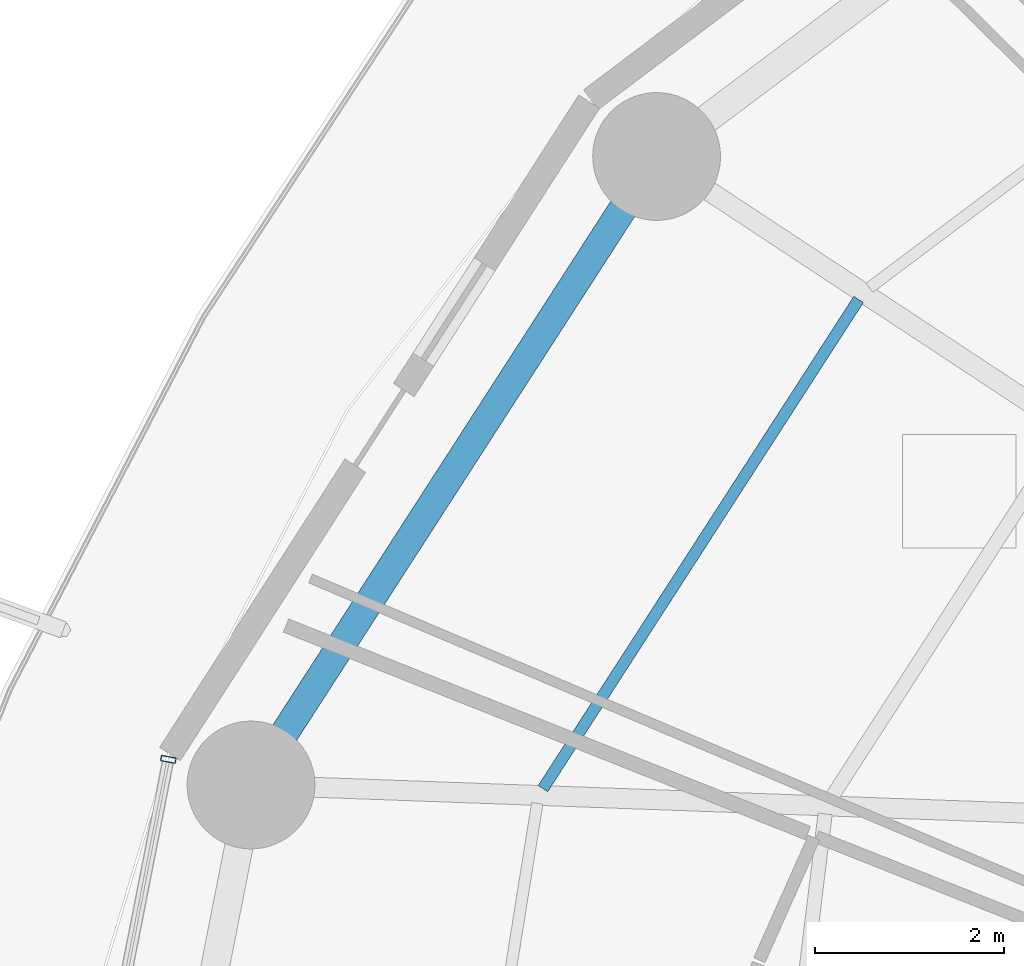
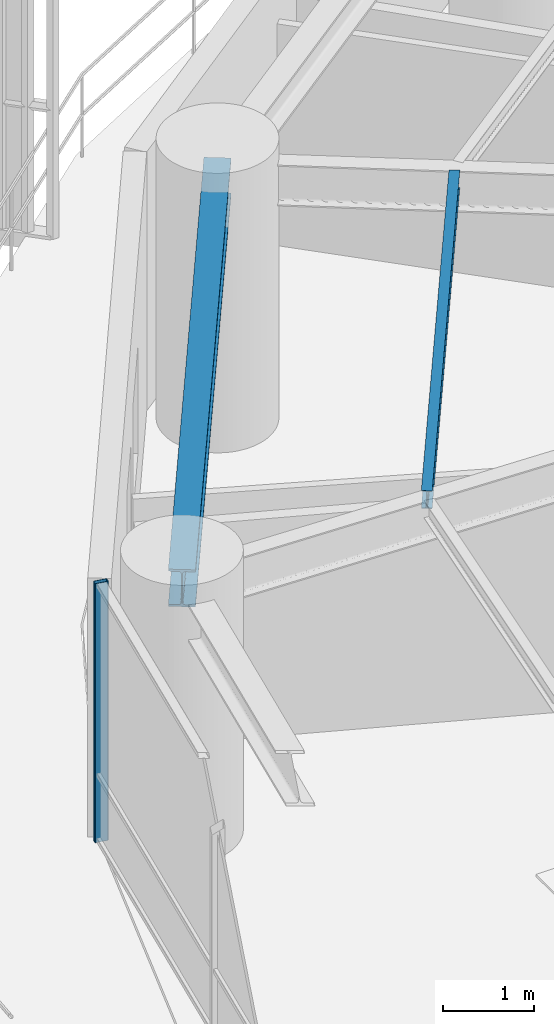
# One storey, part 15 of 34: 2 beams, 1 member, 1 element without a shape of its own.
"""IFC4 building model written with IfcOpenShell, lengths in metres."""

import ifcopenshell
import ifcopenshell.guid

model = None  # the IFC model being written
_history = None  # IfcOwnerHistory: only IFC2X3 demands one
_inside = {}  # id of a spatial element -> (the spatial element, [elements in it])
_under = {}  # id of a project, library or spatial element -> (it, [spatial elements below it])
_declared = {}  # id of a project -> (the project, [libraries it declares])
_typed = {}  # id of a type object -> (the type object, [elements of that type])
_made_of = {}  # id of a material, layer set ... -> (it, [elements and type objects made of it])


def new_model(schema):
    """Start an empty IFC model of exactly this schema.

    Asked for "IFC4X3", IfcOpenShell would pick the latest addendum, in which some entities
    have other attributes; the version numbers below select the first issue.
    IFC2X3 requires an IfcOwnerHistory on every rooted entity: one is made here for all.
    """
    global model, _history
    if schema == "IFC4X3":
        model = ifcopenshell.file(schema_version=(4, 3, 0, 0))
    else:
        model = ifcopenshell.file(schema=schema)
    _inside.clear()
    _under.clear()
    _declared.clear()
    _typed.clear()
    _made_of.clear()
    _history = None
    if model.schema == "IFC2X3":
        org = make("IfcOrganization", Name="unknown")
        user = make(
            "IfcPersonAndOrganization",
            ThePerson=make("IfcPerson", FamilyName="unknown"),
            TheOrganization=org,
        )
        app = make(
            "IfcApplication",
            ApplicationDeveloper=org,
            Version="unknown",
            ApplicationFullName="unknown",
            ApplicationIdentifier="unknown",
        )
        _history = make(
            "IfcOwnerHistory",
            OwningUser=user,
            OwningApplication=app,
            ChangeAction="ADDED",
            CreationDate=0,
        )
    return model


def make(cls, **values):
    """One entity of the class cls with the attributes given. An attribute that is None is left unset."""
    return model.create_entity(
        cls, **{name: value for name, value in values.items() if value is not None}
    )


def rooted(cls, **values):
    """An entity with a GlobalId (a new one), such as an element, a storey or a relation."""
    return make(cls, GlobalId=ifcopenshell.guid.new(), OwnerHistory=_history, **values)


def si_unit(unit_type, name, prefix=None):
    """IfcSIUnit, for example si_unit("LENGTHUNIT", "METRE", prefix="MILLI")."""
    return make("IfcSIUnit", UnitType=unit_type, Prefix=prefix, Name=name)


def assignment(units):
    """IfcUnitAssignment: the units of a project."""
    return None if units is None else make("IfcUnitAssignment", Units=units)


def point(xyz):
    """IfcCartesianPoint."""
    return None if xyz is None else make("IfcCartesianPoint", Coordinates=xyz)


def direction(xyz):
    """IfcDirection."""
    return None if xyz is None else make("IfcDirection", DirectionRatios=xyz)


def frame(location, z_axis=None, x_axis=None):
    """IfcAxis2Placement3D, a coordinate frame: its origin and axes. An axis left out is left unset."""
    return make(
        "IfcAxis2Placement3D",
        Location=point(location),
        Axis=direction(z_axis),
        RefDirection=direction(x_axis),
    )


def frame_2d(location, x_axis=None):
    """IfcAxis2Placement2D, a coordinate frame in the plane: its origin and x axis."""
    return make(
        "IfcAxis2Placement2D", Location=point(location), RefDirection=direction(x_axis)
    )


def origin():
    """The frame at (0, 0, 0) with its axes left unset."""
    return frame((0.0, 0.0, 0.0))


def origin_2d():
    """The frame at (0, 0) in the plane with its x axis left unset."""
    return frame_2d((0.0, 0.0))


def place(relative_to, where):
    """IfcLocalPlacement: puts the frame where relative to a parent placement (None: the world)."""
    return make(
        "IfcLocalPlacement", PlacementRelTo=relative_to, RelativePlacement=where
    )


def context(
    kind, dimensions, precision=None, world=None, true_north=None, identifier=None
):
    """IfcGeometricRepresentationContext, for example the 3D "Model" context."""
    return make(
        "IfcGeometricRepresentationContext",
        ContextIdentifier=identifier,
        ContextType=kind,
        CoordinateSpaceDimension=dimensions,
        Precision=precision,
        WorldCoordinateSystem=world,
        TrueNorth=true_north,
    )


def subcontext(parent, identifier, kind, view, scale=None):
    """IfcGeometricRepresentationSubContext, for example "Body" below "Model"."""
    return make(
        "IfcGeometricRepresentationSubContext",
        ContextIdentifier=identifier,
        ContextType=kind,
        ParentContext=parent,
        TargetScale=scale,
        TargetView=view,
    )


def project(units=None, contexts=None):
    """IfcProject with its units and contexts."""
    return rooted(
        "IfcProject",
        Name="project",
        RepresentationContexts=contexts,
        UnitsInContext=assignment(units),
    )


def spatial(cls, under=None, at=None, **own):
    """A site, building, storey or space (cls), placed at a placement, below another one or the project."""
    s = rooted(cls, ObjectPlacement=at, **own)
    if under is not None:
        _under.setdefault(under.id(), (under, []))[1].append(s)
    return s


def profile(cls, at=None, kind="AREA", **sizes):
    """A parametric profile (cls). Its sizes go by their IFC names, for example OverallWidth=200.0."""
    return make(cls, ProfileType=kind, Position=at, **sizes)


def hollow_rectangle(**sizes):
    """IfcRectangleHollowProfileDef."""
    return profile("IfcRectangleHollowProfileDef", **sizes)


def i_section(**sizes):
    """IfcIShapeProfileDef."""
    return profile("IfcIShapeProfileDef", **sizes)


def extrude(swept, where, along, depth):
    """IfcExtrudedAreaSolid: the profile swept, set in the frame where, extruded along a direction by depth."""
    return make(
        "IfcExtrudedAreaSolid",
        SweptArea=swept,
        Position=where,
        ExtrudedDirection=direction(along),
        Depth=depth,
    )


def shape(context_of_items, identifier, shape_type, items):
    """IfcShapeRepresentation: the items that make up one representation, for example the "Body"."""
    return make(
        "IfcShapeRepresentation",
        ContextOfItems=context_of_items,
        RepresentationIdentifier=identifier,
        RepresentationType=shape_type,
        Items=items,
    )


def material(Name=None, Category=None):
    """IfcMaterial."""
    return make("IfcMaterial", Name=Name, Category=Category)


def layer(
    of_material, thickness, ventilated=None, Name=None, Category=None, Priority=None
):
    """IfcMaterialLayer: one layer of a wall or slab, of a material (None: an air gap)."""
    return make(
        "IfcMaterialLayer",
        Material=of_material,
        LayerThickness=thickness,
        IsVentilated=ventilated,
        Name=Name,
        Category=Category,
        Priority=Priority,
    )


def layer_set(layers, Name=None):
    """IfcMaterialLayerSet."""
    return make("IfcMaterialLayerSet", MaterialLayers=layers, LayerSetName=Name)


def material_profile(
    of_material, cross_section, Name=None, Category=None, Priority=None
):
    """IfcMaterialProfile: a cross section and its material."""
    return make(
        "IfcMaterialProfile",
        Name=Name,
        Material=of_material,
        Profile=cross_section,
        Priority=Priority,
        Category=Category,
    )


def profile_set(profiles, Name=None, composite=None):
    """IfcMaterialProfileSet."""
    return make(
        "IfcMaterialProfileSet",
        Name=Name,
        MaterialProfiles=profiles,
        CompositeProfile=composite,
    )


def made_of(thing, what):
    """Note that an element or type object is made of a material, layer set ...; save() writes the relation."""
    if what is not None:
        _made_of.setdefault(what.id(), (what, []))[1].append(thing)
    return thing


def type_object(cls, material=None, **own):
    """A type object (cls), such as IfcWallType, which elements share."""
    return made_of(rooted(cls, **own), material)


def element(
    cls,
    number,
    at=None,
    inside=None,
    cuts=None,
    type_object=None,
    material=None,
    context=None,
    identifier="Body",
    shape_type=None,
    held_by="IfcProductDefinitionShape",
    body=None,
    shapes=None,
    **own,
):
    """One element of the class cls, such as IfcWall. Its Tag is "e" and its number.

    at: its placement. inside: the storey or other place that contains it. cuts: it is an
    opening in that element (IfcRelVoidsElement). A single representation is given by context,
    identifier, shape_type and body (its items); several are given by shapes. held_by: the class
    of the entity that holds the representations. save() writes the other relations.
    """
    e = rooted(cls, Tag="e%d" % number, ObjectPlacement=at, **own)
    if body is not None:
        shapes = [shape(context, identifier, shape_type, body)]
    if shapes is not None:
        e.Representation = make(held_by, Representations=shapes)
    if inside is not None:
        _inside.setdefault(inside.id(), (inside, []))[1].append(e)
    if cuts is not None:
        rooted(
            "IfcRelVoidsElement", RelatingBuildingElement=cuts, RelatedOpeningElement=e
        )
    if type_object is not None:
        _typed.setdefault(type_object.id(), (type_object, []))[1].append(e)
    return made_of(e, material)


def aggregate(whole, parts):
    """IfcRelAggregates: a whole, such as a stair, and the parts it consists of."""
    return rooted("IfcRelAggregates", RelatingObject=whole, RelatedObjects=parts)


def save(model, path):
    """Write the relations noted so far, then the file.

    IfcRelAggregates (storeys below a building ...), IfcRelContainedInSpatialStructure (elements
    in a storey), IfcRelDefinesByType, IfcRelAssociatesMaterial and IfcRelDeclares: one each for
    every whole, place, type object, material and project.
    """
    for whole, parts in _under.values():
        aggregate(whole, parts)
    for where, things in _inside.values():
        rooted(
            "IfcRelContainedInSpatialStructure",
            RelatedElements=things,
            RelatingStructure=where,
        )
    for kind, things in _typed.values():
        rooted("IfcRelDefinesByType", RelatedObjects=things, RelatingType=kind)
    for what, things in _made_of.values():
        rooted("IfcRelAssociatesMaterial", RelatedObjects=things, RelatingMaterial=what)
    for by, libraries in _declared.values():
        rooted("IfcRelDeclares", RelatingContext=by, RelatedDefinitions=libraries)
    model.write(path)


model = new_model("IFC4")

# Units and contexts
model_context = context("Model", 3, precision=1e-05, world=origin(), true_north=direction((0.0, 1.0)))
body_context = subcontext(model_context, "Body", "Model", "MODEL_VIEW")
ifc_project = project(units=[si_unit("LENGTHUNIT", "METRE"), si_unit("AREAUNIT", "SQUARE_METRE"), si_unit("VOLUMEUNIT", "CUBIC_METRE"), si_unit("PLANEANGLEUNIT", "RADIAN"), si_unit("MASSUNIT", "GRAM", prefix="KILO")], contexts=[model_context])

# Site, building, storey
site_placement = place(None, origin())
site = spatial("IfcSite", under=ifc_project, at=site_placement, CompositionType="ELEMENT")
building_placement = place(site_placement, origin())
building = spatial("IfcBuilding", under=site, at=building_placement, Name="Kelanora Arch Commons", CompositionType="ELEMENT")
storey_placement = place(building_placement, frame((0.0, 0.0, 76.35009765625)))
storey = spatial("IfcBuildingStorey", under=building, at=storey_placement, Name="L19", CompositionType="ELEMENT", Elevation=76.35009765625)

# Beams
ifc_material_1 = material(Name="Steel S355", Category="steel")
ifc_material_profile_1 = material_profile(ifc_material_1, i_section(OverallWidth=0.1201171875, OverallDepth=0.239990234375, WebThickness=0.006103515625, FlangeThickness=0.009765625, FilletRadius=0.014892578125, at=origin_2d()), Name="IPE240")
ifc_profile_set_1 = profile_set([ifc_material_profile_1], Name="Steel S355")
beam_type_1 = type_object("IfcBeamType", Name="BM-JST-02", PredefinedType="JOIST", material=ifc_profile_set_1)
beam_1_placement = place(storey_placement, frame((57.22900390625, 70.682861328125, 3.369873046875), z_axis=(-0.542212726273, -0.840241250754, 0.0), x_axis=(0.840241250754, -0.542212726273, 0.0)))
element("IfcBeam", 1, at=beam_1_placement, inside=storey, type_object=beam_type_1, Name="Secondary Chord Joist BJC-14 L19", PredefinedType="JOIST", context=body_context, shape_type="SweptSolid", body=[
    extrude(i_section(OverallWidth=0.1201171875, OverallDepth=0.239990234375, WebThickness=0.006103515625, FlangeThickness=0.009765625, FilletRadius=0.014892578125, at=origin_2d()), origin(), (0.0, 0.0, 1.0), 6.15283203125),
])
ifc_material_profile_2 = material_profile(ifc_material_1, i_section(OverallWidth=0.300048828125, OverallDepth=0.5, WebThickness=0.014404296875, FlangeThickness=0.028076171875, FilletRadius=0.027099609375, at=origin_2d()), Name="HEB500")
ifc_profile_set_2 = profile_set([ifc_material_profile_2], Name="Steel S355")
beam_type_2 = type_object("IfcBeamType", Name="BM-SPN-Z2", PredefinedType="SPANDREL", material=ifc_profile_set_2)
beam_2_placement = place(storey_placement, frame((55.093994140625, 72.19287109375, 3.239990234375), z_axis=(-0.542221144054, -0.840235818649, 0.0), x_axis=(0.840235818649, -0.542221144054, 0.0)))
element("IfcBeam", 2, at=beam_2_placement, inside=storey, type_object=beam_type_2, Name="Perimeter Spandrel Beam BS-14 L19", PredefinedType="SPANDREL", context=body_context, shape_type="SweptSolid", body=[
    extrude(i_section(OverallWidth=0.300048828125, OverallDepth=0.5, WebThickness=0.014404296875, FlangeThickness=0.028076171875, FilletRadius=0.027099609375, at=origin_2d()), origin(), (0.0, 0.0, 1.0), 7.90380859375),
])

# Curtain wall, member
ifc_material_2 = material(Name="Terracotta ceramic-fritted low-E glass and aluminium", Category="masonry")
ifc_layer = layer(ifc_material_2, 0.159912109375)
ifc_layer_set = layer_set([ifc_layer], Name="Terracotta ceramic-fritted low-E glass and aluminium")
curtain_wall_type = type_object("IfcCurtainWallType", Name="CW-SYS-01", PredefinedType="NOTDEFINED", material=ifc_layer_set)
curtain_wall_placement = place(storey_placement, origin())
curtain_wall = element("IfcCurtainWall", 3, at=curtain_wall_placement, inside=storey, type_object=curtain_wall_type, Name="Unitised Curtain Wall L19-B08", PredefinedType="NOTDEFINED")
ifc_material_3 = material(Name="Powder-coated aluminium terracotta", Category="masonry")
ifc_material_profile_3 = material_profile(ifc_material_3, hollow_rectangle(XDim=0.159912109375, YDim=0.06005859375, WallThickness=0.0048828125, InnerFilletRadius=0.0048828125, OuterFilletRadius=0.010009765625, at=origin_2d()), Name="CWM160x60")
ifc_profile_set_3 = profile_set([ifc_material_profile_3], Name="Powder-coated aluminium terracotta")
member_type = type_object("IfcMemberType", Name="CWM-STD", PredefinedType="MULLION", material=ifc_profile_set_3)
member_placement = place(storey_placement, frame((49.935302734375, 65.822265625, 0.0), z_axis=(0.0, 0.0, 1.0), x_axis=(0.981280311646, -0.192584916272, 0.0)))
member = element("IfcMember", 4, at=member_placement, type_object=member_type, Name="CW-01 mullion 1", PredefinedType="MULLION", context=body_context, shape_type="SweptSolid", body=[
    extrude(hollow_rectangle(XDim=0.159912109375, YDim=0.06005859375, WallThickness=0.0048828125, InnerFilletRadius=0.0048828125, OuterFilletRadius=0.010009765625, at=origin_2d()), origin(), (0.0, 0.0, 1.0), 3.474853515625),
])
aggregate(curtain_wall, [member])

save(model, "model.ifc")
